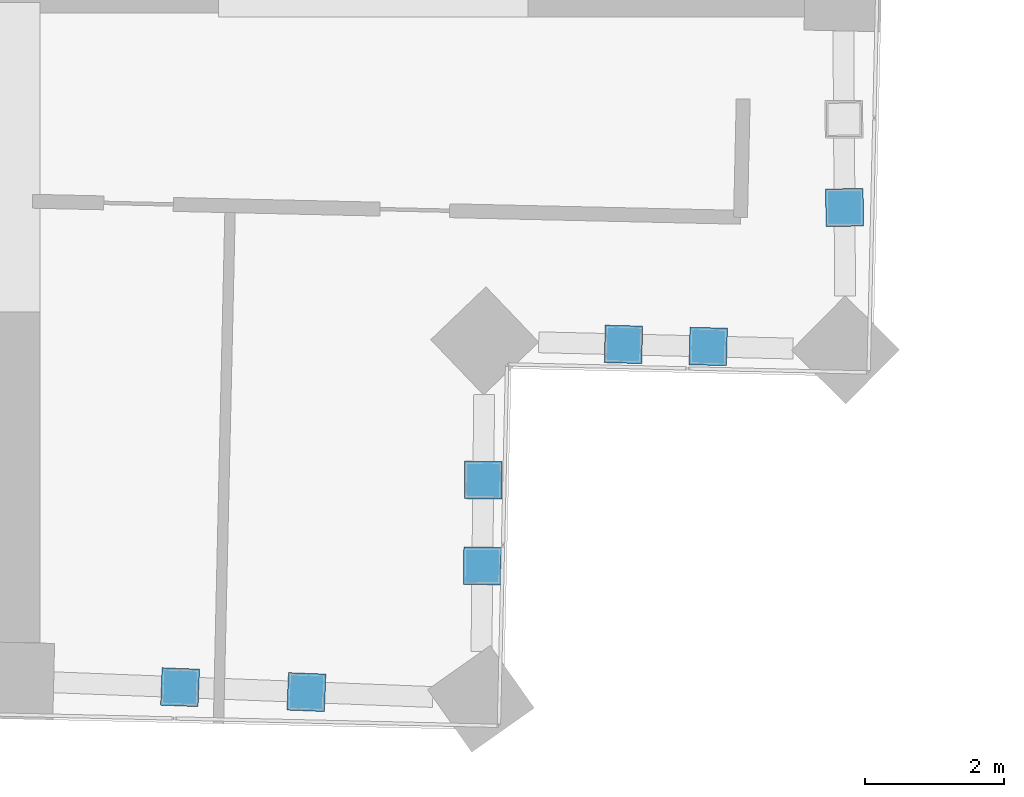
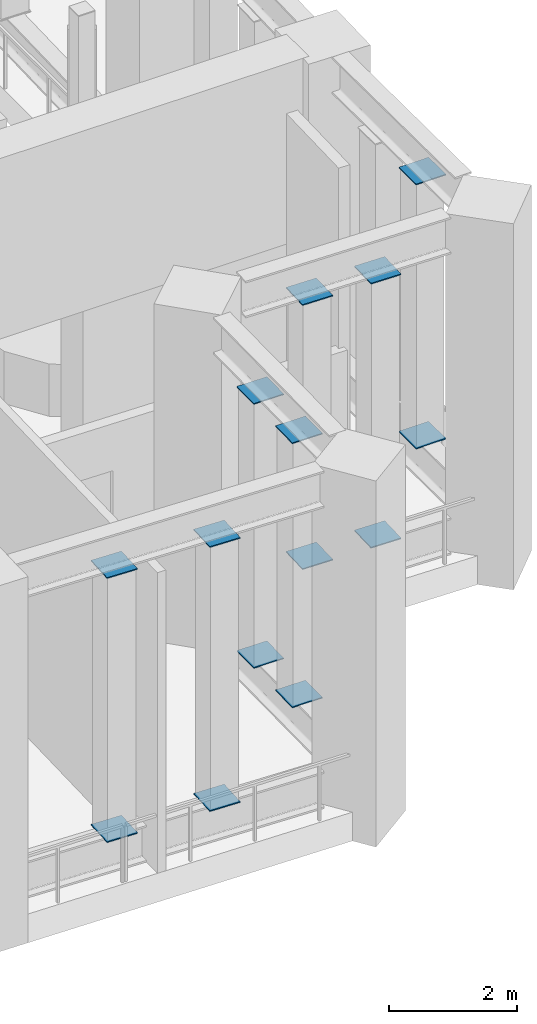
# One storey, part 18 of 33: 14 discrete accessories.
"""IFC4 building model written with IfcOpenShell, lengths in metres."""

from ifc_helpers import new_model, si_unit, direction, frame, origin, origin_2d, place, context, subcontext, project, spatial, rectangle, extrude, material, layer, layer_set, type_object, element, save


model = new_model("IFC4")

# Units and contexts
model_context = context("Model", 3, precision=1e-05, world=origin(), true_north=direction((0.0, 1.0)))
body_context = subcontext(model_context, "Body", "Model", "MODEL_VIEW")
ifc_project = project(units=[si_unit("LENGTHUNIT", "METRE"), si_unit("AREAUNIT", "SQUARE_METRE"), si_unit("VOLUMEUNIT", "CUBIC_METRE"), si_unit("PLANEANGLEUNIT", "RADIAN"), si_unit("MASSUNIT", "GRAM", prefix="KILO")], contexts=[model_context])

# Site, building, storey
site_placement = place(None, origin())
site = spatial("IfcSite", under=ifc_project, at=site_placement, CompositionType="ELEMENT")
building_placement = place(site_placement, origin())
building = spatial("IfcBuilding", under=site, at=building_placement, Name="Mangrove Gate Tower", CompositionType="ELEMENT")
storey_placement = place(building_placement, frame((0.0, 0.0, 219.5)))
storey = spatial("IfcBuildingStorey", under=building, at=storey_placement, Name="L56", CompositionType="ELEMENT", Elevation=219.5)

# Discrete accessories
ifc_material = material(Name="Steel S355J2H", Category="steel")
ifc_layer = layer(ifc_material, 0.02001953125)
ifc_layer_set = layer_set([ifc_layer], Name="Belt truss end plate 540x540x20")
discrete_accessory_type = type_object("IfcDiscreteAccessoryType", Name="Belt truss end plate 540x540x20", PredefinedType="ANCHORPLATE", material=ifc_layer_set)
for number, where, z_axis, x_axis, name in (
    (1, (13.8994140625, -21.2958984375, 0.68994140625), (0.0, 0.0, 1.0), (0.999249271078, -0.038741376474, 0.0), "Belt truss end plate L56 09-1 bottom"),
    (2, (13.8994140625, -21.2958984375, 5.739990234375), (0.0, 0.0, 1.0), (0.999249271078, -0.038741376474, 0.0), "Belt truss end plate L56 09-1 top"),
    (3, (15.716552734375, -21.366455078125, 0.68994140625), (0.0, 0.0, 1.0), (0.999249271078, -0.038741376474, 0.0), "Belt truss end plate L56 09-2 bottom"),
    (4, (15.716552734375, -21.366455078125, 5.739990234375), (0.0, 0.0, 1.0), (0.999249271078, -0.038741376474, 0.0), "Belt truss end plate L56 09-2 top"),
    (5, (18.246337890625, -19.552001953125, 0.68994140625), (0.0, 0.0, 1.0), (0.010708995964, 0.999942657059, 0.0), "Belt truss end plate L56 10-1 bottom"),
    (6, (18.246337890625, -19.552001953125, 5.739990234375), (0.0, 0.0, 1.0), (0.010708995964, 0.999942657059, 0.0), "Belt truss end plate L56 10-1 top"),
    (7, (18.259521484375, -18.318603515625, 0.68994140625), (0.0, 0.0, 1.0), (0.010708995964, 0.999942657059, 0.0), "Belt truss end plate L56 10-2 bottom"),
    (8, (18.259521484375, -18.318603515625, 5.739990234375), (0.0, 0.0, 1.0), (0.010708995964, 0.999942657059, 0.0), "Belt truss end plate L56 10-2 top"),
    (9, (20.275634765625, -16.3662109375, 0.68994140625), (0.0, 0.0, 1.0), (0.999689696724, -0.024910043428, 0.0), "Belt truss end plate L56 11-1 bottom"),
    (10, (20.275634765625, -16.3662109375, 5.739990234375), (0.0, 0.0, 1.0), (0.999689696724, -0.024910043428, 0.0), "Belt truss end plate L56 11-1 top"),
    (11, (21.494384765625, -16.396484375, 0.68994140625), (0.0, 0.0, 1.0), (0.999689696724, -0.024910043428, 0.0), "Belt truss end plate L56 11-2 bottom"),
    (12, (21.494384765625, -16.396484375, 5.739990234375), (0.0, 0.0, 1.0), (0.999689696724, -0.024910043428, 0.0), "Belt truss end plate L56 11-2 top"),
    (13, (23.454345703125, -14.398193359375, 0.68994140625), (0.0, 0.0, 1.0), (-0.006505075496, 0.999978841773, 0.0), "Belt truss end plate L56 12-1 bottom"),
    (14, (23.454345703125, -14.398193359375, 5.739990234375), (0.0, 0.0, 1.0), (-0.006505075496, 0.999978841773, 0.0), "Belt truss end plate L56 12-1 top"),
):
    element("IfcDiscreteAccessory", number, at=place(storey_placement, frame(where, z_axis=z_axis, x_axis=x_axis)), inside=storey, type_object=discrete_accessory_type, Name=name, PredefinedType="ANCHORPLATE", context=body_context, shape_type="SweptSolid", body=[
        extrude(rectangle(XDim=0.5400390625, YDim=0.5400390625, at=origin_2d()), origin(), (0.0, 0.0, 1.0), 0.02001953125),
    ])

save(model, "model.ifc")
